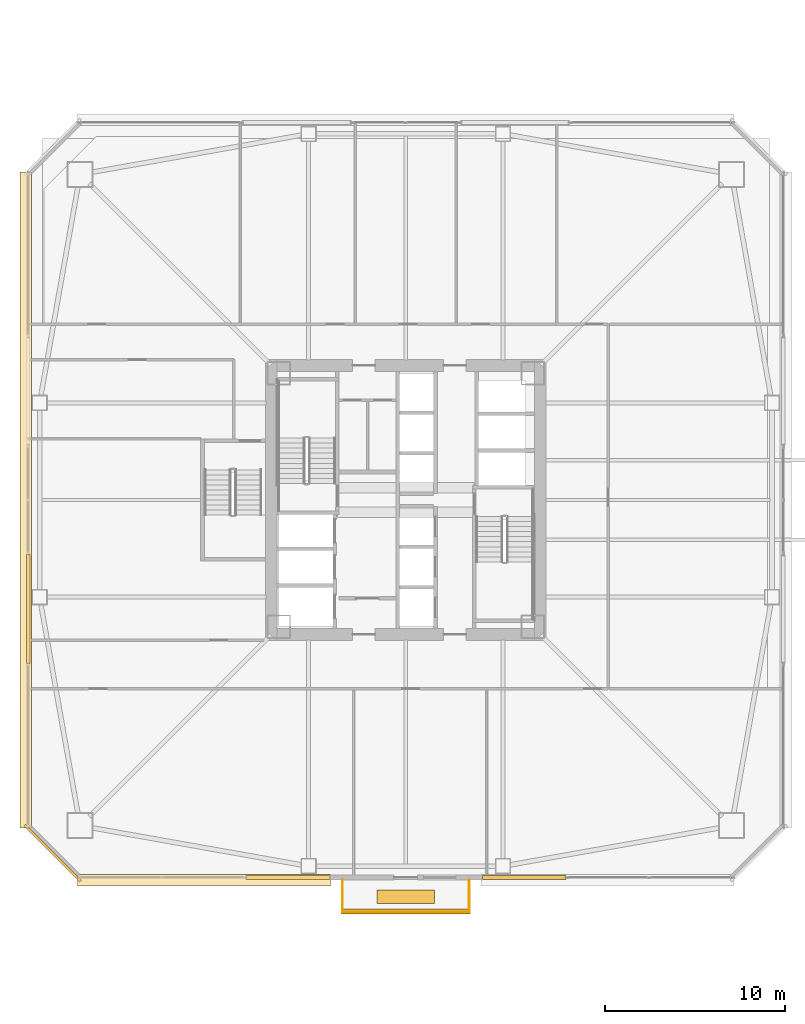
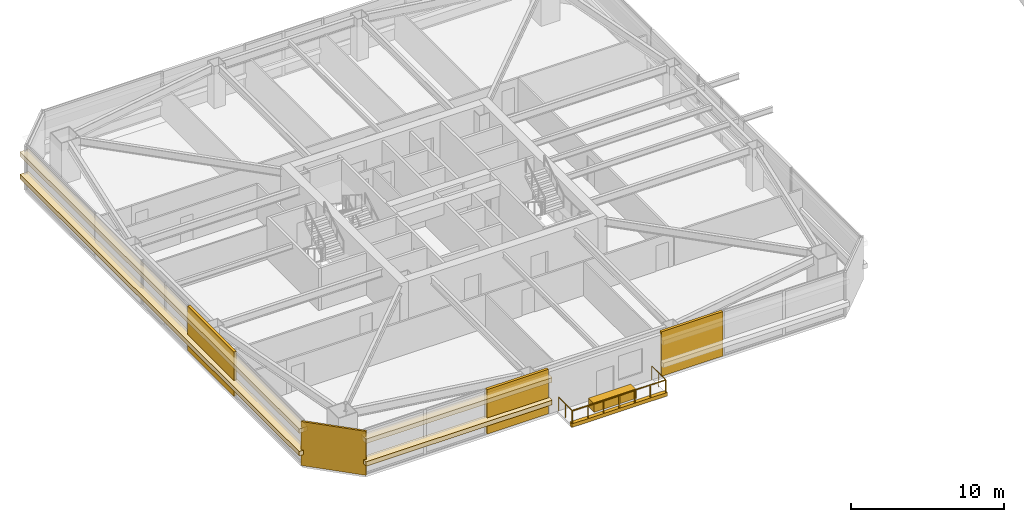
# One storey, part 38 of 44: 10 coverings, 3 railings.
"""IFC4 building model written with IfcOpenShell, lengths in metres."""

from ifc_helpers import new_model, si_unit, direction, frame, origin, origin_2d, place, context, subcontext, project, spatial, rectangle, extrude, material, layer, layer_set, type_object, element, save


model = new_model("IFC4")

# Units and contexts
model_context = context("Model", 3, precision=1e-05, world=origin(), true_north=direction((0.0, 1.0)))
body_context = subcontext(model_context, "Body", "Model", "MODEL_VIEW")
ifc_project = project(units=[si_unit("LENGTHUNIT", "METRE"), si_unit("AREAUNIT", "SQUARE_METRE"), si_unit("VOLUMEUNIT", "CUBIC_METRE"), si_unit("PLANEANGLEUNIT", "RADIAN"), si_unit("MASSUNIT", "GRAM", prefix="KILO")], contexts=[model_context])

# Site, building, storey
site_placement = place(None, origin())
site = spatial("IfcSite", under=ifc_project, at=site_placement, CompositionType="ELEMENT")
building_placement = place(site_placement, origin())
building = spatial("IfcBuilding", under=site, at=building_placement, Name="Tashvorn Skyway Center", CompositionType="ELEMENT")
storey_placement = place(building_placement, frame((0.0, 0.0, 95.60009765625)))
storey = spatial("IfcBuildingStorey", under=building, at=storey_placement, Name="L25", CompositionType="ELEMENT", Elevation=95.60009765625)

# Coverings
ifc_material_1 = material(Name="Precast concrete C40/50", Category="concrete")
ifc_layer_1 = layer(ifc_material_1, 0.199951171875)
ifc_layer_set_1 = layer_set([ifc_layer_1], Name="Precast concrete C40/50")
covering_type_1 = type_object("IfcCoveringType", Name="COV-BRACE-CLAD", PredefinedType="CLADDING", material=ifc_layer_set_1)
for number, where, z_axis, x_axis, name in (
    (1, (48.571533203125, 11.02001953125, 0.0), (0.0, 0.0, 1.0), (-1.0, 0.0, 0.0), "Tower 1 L25 South Curtain Wall L Mega-Brace Cladding Band 1"),
    (2, (35.428466796875, 11.02001953125, 0.0), (0.0, 0.0, 1.0), (-1.0, 0.0, 0.0), "Tower 1 L25 South Curtain Wall R Mega-Brace Cladding Band 1"),
):
    element("IfcCovering", number, at=place(storey_placement, frame(where, z_axis=z_axis, x_axis=x_axis)), inside=storey, type_object=covering_type_1, Name=name, PredefinedType="CLADDING", context=body_context, shape_type="SweptSolid", body=[
        extrude(rectangle(XDim=4.643310546875, YDim=0.199951171875, at=origin_2d()), origin(), (0.0, 0.0, 1.0), 3.550048828125),
    ])
covering_1_placement = place(storey_placement, frame((21.02001953125, 25.93994140625, 0.0), z_axis=(0.0, 0.0, 1.0), x_axis=(0.0, 1.0, 0.0)))
element("IfcCovering", 3, at=covering_1_placement, inside=storey, type_object=covering_type_1, Name="Tower 1 L25 West Unitised Curtain Wall Mega-Brace Cladding Band 1", PredefinedType="CLADDING", context=body_context, shape_type="SweptSolid", body=[
    extrude(rectangle(XDim=6.06005859375, YDim=0.199951171875, at=origin_2d()), origin(), (0.0, 0.0, 1.0), 3.550048828125),
])
ifc_material_2 = material(Name="Perforated ceramic-coated bronze aluminium solar screen", Category="aluminium")
ifc_layer_2 = layer(ifc_material_2, 0.85009765625)
ifc_layer_set_2 = layer_set([ifc_layer_2], Name="Perforated ceramic-coated bronze aluminium solar screen")
covering_type_2 = type_object("IfcCoveringType", Name="COV-SOLAR-BAND", PredefinedType="CLADDING", material=ifc_layer_set_2)
for number, where, z_axis, x_axis, name in (
    (4, (30.784912109375, 10.8798828125, 0.919921875), (0.0, 0.0, 1.0), (-1.0, 0.0, 0.0), "L25 Perforated Ceramic-Metal Solar Screen Louvre Band South 1"),
    (5, (30.784912109375, 10.8798828125, 2.7197265625), (0.0, 0.0, 1.0), (-1.0, 0.0, 0.0), "L25 Perforated Ceramic-Metal Solar Screen Louvre Band South 2"),
):
    element("IfcCovering", number, at=place(storey_placement, frame(where, z_axis=z_axis, x_axis=x_axis)), inside=storey, type_object=covering_type_2, Name=name, PredefinedType="CLADDING", context=body_context, shape_type="SweptSolid", body=[
        extrude(rectangle(XDim=14.050048828125, YDim=0.639892578125, at=origin_2d()), origin(), (0.0, 0.0, 1.0), 0.360107421875),
    ])
for number, where, z_axis, x_axis, name in (
    (6, (20.8798828125, 32.0, 0.919921875), (0.0, 0.0, 1.0), (0.0, 1.0, 0.0), "L25 Perforated Ceramic-Metal Solar Screen Louvre Band West 1"),
    (7, (20.8798828125, 32.0, 2.7197265625), (0.0, 0.0, 1.0), (0.0, 1.0, 0.0), "L25 Perforated Ceramic-Metal Solar Screen Louvre Band West 2"),
):
    element("IfcCovering", number, at=place(storey_placement, frame(where, z_axis=z_axis, x_axis=x_axis)), inside=storey, type_object=covering_type_2, Name=name, PredefinedType="CLADDING", context=body_context, shape_type="SweptSolid", body=[
        extrude(rectangle(XDim=36.47998046875, YDim=0.639892578125, at=origin_2d()), origin(), (0.0, 0.0, 1.0), 0.360107421875),
    ])
ifc_layer_3 = layer(ifc_material_1, 0.35009765625)
ifc_layer_set_3 = layer_set([ifc_layer_3], Name="Precast concrete C40/50")
covering_type_3 = type_object("IfcCoveringType", Name="COV-STONE-TRIM", PredefinedType="CLADDING", material=ifc_layer_set_3)
covering_2_placement = place(storey_placement, frame((42.0, 9.139892578125, -0.16015625), z_axis=(0.0, 0.0, 1.0), x_axis=(-1.0, 0.0, 0.0)))
element("IfcCovering", 8, at=covering_2_placement, inside=storey, type_object=covering_type_3, Name="Tower 1 L25 Spiral Terrace Terracotta Fascia", PredefinedType="CLADDING", context=body_context, shape_type="SweptSolid", body=[
    extrude(rectangle(XDim=7.199951171875, YDim=0.280029296875, at=origin_2d()), origin(), (0.0, 0.0, 1.0), 0.280029296875),
])
covering_3_placement = place(storey_placement, frame((42.0, 9.949951171875, 0.0), z_axis=(0.0, 0.0, 1.0), x_axis=(-1.0, 0.0, 0.0)))
element("IfcCovering", 9, at=covering_3_placement, inside=storey, type_object=covering_type_3, Name="Tower 1 L25 Spiral Terrace Planter", PredefinedType="CLADDING", context=body_context, shape_type="SweptSolid", body=[
    extrude(rectangle(XDim=3.199951171875, YDim=0.75, at=origin_2d()), origin(), (0.0, 0.0, 1.0), 0.679931640625),
])
covering_4_placement = place(storey_placement, frame((22.3798828125, 12.3798828125, 0.02001953125), z_axis=(0.0, 0.0, 1.0), x_axis=(-0.707106781187, 0.707106781187, 0.0)))
element("IfcCovering", 10, at=covering_4_placement, inside=storey, type_object=covering_type_3, Name="Tower 1 L25 SW Mojave Limestone Corner Quoin", PredefinedType="CLADDING", context=body_context, shape_type="SweptSolid", body=[
    extrude(rectangle(XDim=4.402587890625, YDim=0.139892578125, at=origin_2d()), origin(), (0.0, 0.0, 1.0), 3.510009765625),
])

# Railings
ifc_material_3 = material(Name="Galvanized steel S355", Category="steel")
railing_type = type_object("IfcRailingType", Name="RAIL-GUARD-1120", PredefinedType="GUARDRAIL", material=ifc_material_3)
railing_1_placement = place(storey_placement, frame((38.47998046875, 10.89990234375, 0.0)))
element("IfcRailing", 11, at=railing_1_placement, inside=storey, type_object=railing_type, Name="L25 Tower 1 Terrace Guardrail 01", PredefinedType="GUARDRAIL", context=body_context, shape_type="SweptSolid", body=[
    extrude(rectangle(XDim=0.048095703125, YDim=0.048095703125, at=origin_2d()), frame((0.0, 0.0, 1.09619140625), z_axis=(0.0, -1.0, 0.0), x_axis=(1.0, 0.0, 0.0)), (0.0, 0.0, 1.0), 1.81982421875),
    extrude(rectangle(XDim=0.0419921875, YDim=0.0419921875, at=origin_2d()), origin(), (0.0, 0.0, 1.0), 1.072021484375),
    extrude(rectangle(XDim=0.0419921875, YDim=0.0419921875, at=origin_2d()), frame((0.0, -0.909912109375, 0.0)), (0.0, 0.0, 1.0), 1.072021484375),
    extrude(rectangle(XDim=0.0419921875, YDim=0.0419921875, at=origin_2d()), frame((0.0, -1.81982421875, 0.0)), (0.0, 0.0, 1.0), 1.072021484375),
])
railing_2_placement = place(storey_placement, frame((38.47998046875, 9.080078125, 0.0)))
element("IfcRailing", 12, at=railing_2_placement, inside=storey, type_object=railing_type, Name="L25 Tower 1 Terrace Guardrail 02", PredefinedType="GUARDRAIL", context=body_context, shape_type="SweptSolid", body=[
    extrude(rectangle(XDim=0.048095703125, YDim=0.048095703125, at=origin_2d()), frame((0.0, 0.0, 1.09619140625), z_axis=(1.0, 0.0, 0.0), x_axis=(0.0, 1.0, 0.0)), (0.0, 0.0, 1.0), 7.0400390625),
    extrude(rectangle(XDim=0.0419921875, YDim=0.0419921875, at=origin_2d()), origin(), (0.0, 0.0, 1.0), 1.072021484375),
    extrude(rectangle(XDim=0.0419921875, YDim=0.0419921875, at=origin_2d()), frame((1.17333984375, 0.0, 0.0)), (0.0, 0.0, 1.0), 1.072021484375),
    extrude(rectangle(XDim=0.0419921875, YDim=0.0419921875, at=origin_2d()), frame((2.3466796875, 0.0, 0.0)), (0.0, 0.0, 1.0), 1.072021484375),
    extrude(rectangle(XDim=0.0419921875, YDim=0.0419921875, at=origin_2d()), frame((3.52001953125, 0.0, 0.0)), (0.0, 0.0, 1.0), 1.072021484375),
    extrude(rectangle(XDim=0.0419921875, YDim=0.0419921875, at=origin_2d()), frame((4.693359375, 0.0, 0.0)), (0.0, 0.0, 1.0), 1.072021484375),
    extrude(rectangle(XDim=0.0419921875, YDim=0.0419921875, at=origin_2d()), frame((5.86669921875, 0.0, 0.0)), (0.0, 0.0, 1.0), 1.072021484375),
    extrude(rectangle(XDim=0.0419921875, YDim=0.0419921875, at=origin_2d()), frame((7.0400390625, 0.0, 0.0)), (0.0, 0.0, 1.0), 1.072021484375),
])
railing_3_placement = place(storey_placement, frame((45.52001953125, 9.080078125, 0.0)))
element("IfcRailing", 13, at=railing_3_placement, inside=storey, type_object=railing_type, Name="L25 Tower 1 Terrace Guardrail 03", PredefinedType="GUARDRAIL", context=body_context, shape_type="SweptSolid", body=[
    extrude(rectangle(XDim=0.048095703125, YDim=0.048095703125, at=origin_2d()), frame((0.0, 0.0, 1.09619140625), z_axis=(0.0, 1.0, 0.0), x_axis=(-1.0, 0.0, 0.0)), (0.0, 0.0, 1.0), 1.81982421875),
    extrude(rectangle(XDim=0.0419921875, YDim=0.0419921875, at=origin_2d()), origin(), (0.0, 0.0, 1.0), 1.072021484375),
    extrude(rectangle(XDim=0.0419921875, YDim=0.0419921875, at=origin_2d()), frame((0.0, 0.909912109375, 0.0)), (0.0, 0.0, 1.0), 1.072021484375),
    extrude(rectangle(XDim=0.0419921875, YDim=0.0419921875, at=origin_2d()), frame((0.0, 1.81982421875, 0.0)), (0.0, 0.0, 1.0), 1.072021484375),
])

save(model, "model.ifc")
